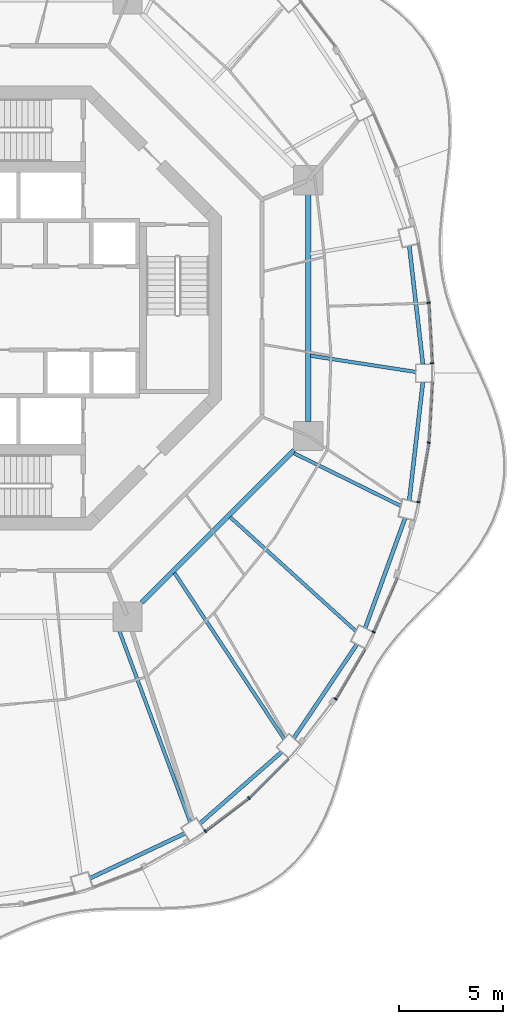
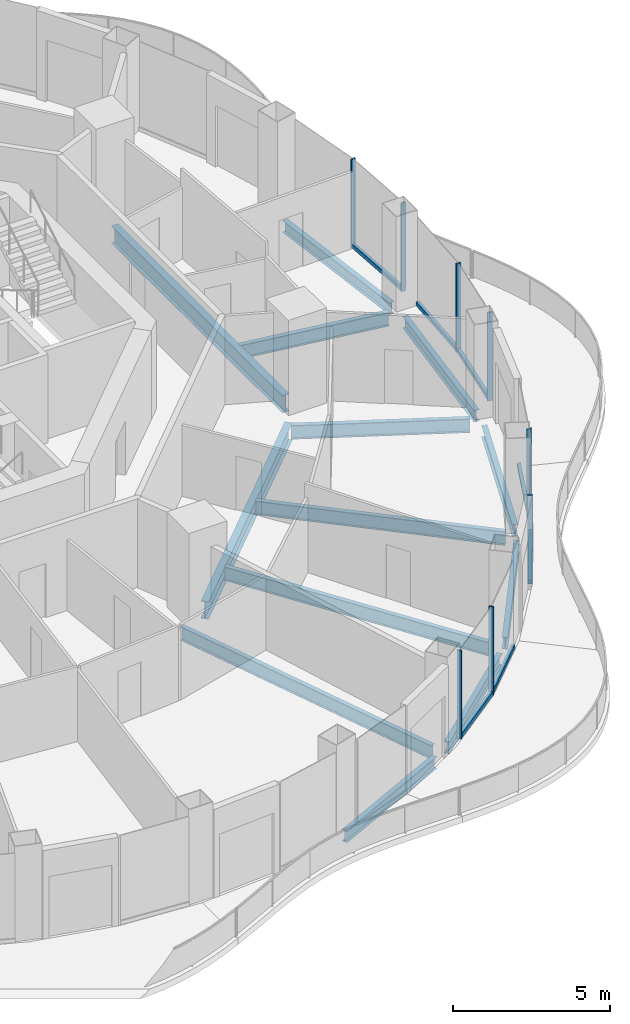
# One storey, part 4 of 17: 15 members, 13 beams, 8 elements without a shape of their own.
"""IFC4 building model written with IfcOpenShell, lengths in metres."""

from ifc_helpers import new_model, si_unit, direction, frame, origin, origin_2d, place, context, subcontext, project, spatial, rectangle, i_section, extrude, material, layer, layer_set, material_profile, profile_set, type_object, element, aggregate, save


model = new_model("IFC4")

# Units and contexts
model_context = context("Model", 3, precision=1e-05, world=origin(), true_north=direction((0.0, 1.0)))
body_context = subcontext(model_context, "Body", "Model", "MODEL_VIEW")
ifc_project = project(units=[si_unit("LENGTHUNIT", "METRE"), si_unit("AREAUNIT", "SQUARE_METRE"), si_unit("VOLUMEUNIT", "CUBIC_METRE"), si_unit("PLANEANGLEUNIT", "RADIAN"), si_unit("MASSUNIT", "GRAM", prefix="KILO")], contexts=[model_context])

# Site, building, storey
site_placement = place(None, origin())
site = spatial("IfcSite", under=ifc_project, at=site_placement, CompositionType="ELEMENT")
building_placement = place(site_placement, origin())
building = spatial("IfcBuilding", under=site, at=building_placement, Name="Nagisa Residences", CompositionType="ELEMENT")
storey_placement = place(building_placement, frame((0.0, 0.0, 269.60009765625)))
storey = spatial("IfcBuildingStorey", under=building, at=storey_placement, Name="L68", CompositionType="ELEMENT", Elevation=269.60009765625)

# Curtain wall, member
ifc_material_1 = material(Name="Concrete-coloured aluminium curtain wall system", Category="concrete")
ifc_layer = layer(ifc_material_1, 0.159912109375)
ifc_layer_set = layer_set([ifc_layer], Name="CW1 CURTAIN WALL")
curtain_wall_type = type_object("IfcCurtainWallType", Name="CW1 CURTAIN WALL", PredefinedType="NOTDEFINED", material=ifc_layer_set)
curtain_wall_1_placement = place(storey_placement, origin())
curtain_wall_1 = element("IfcCurtainWall", 1, at=curtain_wall_1_placement, inside=storey, type_object=curtain_wall_type, Name="cw:CW1:L68:00", PredefinedType="NOTDEFINED")
ifc_material_2 = material(Name="Concrete-coloured aluminium", Category="concrete")
ifc_material_profile_1 = material_profile(ifc_material_2, rectangle(XDim=0.159912109375, YDim=0.06005859375, at=origin_2d()), Name="CW1 MULLION 160x60")
ifc_profile_set_1 = profile_set([ifc_material_profile_1], Name="Concrete-coloured aluminium")
member_type_1 = type_object("IfcMemberType", Name="CW1 MULLION 160x60", PredefinedType="MULLION", material=ifc_profile_set_1)
member_1_placement = place(storey_placement, frame((20.712646484375, -2.64306640625, 0.0), z_axis=(0.0, 0.0, 1.0), x_axis=(-0.998345305184, -0.057503492216, 0.0)))
member_1 = element("IfcMember", 2, at=member_1_placement, type_object=member_type_1, Name="CW1 mullion", PredefinedType="MULLION", context=body_context, shape_type="SweptSolid", body=[
    extrude(rectangle(XDim=0.159912109375, YDim=0.06005859375, at=origin_2d()), origin(), (0.0, 0.0, 1.0), 3.43994140625),
])

curtain_wall_2_placement = place(storey_placement, origin())
curtain_wall_2 = element("IfcCurtainWall", 3, at=curtain_wall_2_placement, inside=storey, type_object=curtain_wall_type, Name="cw:CW1:L68:01", PredefinedType="NOTDEFINED")
member_2_placement = place(storey_placement, frame((20.54248046875, 0.2578125, 0.0), z_axis=(0.0, 0.0, 1.0), x_axis=(-0.985063604377, -0.172190868898, 0.0)))
member_2 = element("IfcMember", 4, at=member_2_placement, type_object=member_type_1, Name="CW1 mullion", PredefinedType="MULLION", context=body_context, shape_type="SweptSolid", body=[
    extrude(rectangle(XDim=0.159912109375, YDim=0.06005859375, at=origin_2d()), origin(), (0.0, 0.0, 1.0), 3.43994140625),
])
aggregate(curtain_wall_2, [member_2])

curtain_wall_3_placement = place(storey_placement, origin())
curtain_wall_3 = element("IfcCurtainWall", 5, at=curtain_wall_3_placement, inside=storey, type_object=curtain_wall_type, Name="cw:CW1:L68:40", PredefinedType="NOTDEFINED")
member_3_placement = place(storey_placement, frame((9.84375, -25.054931640625, 0.0), z_axis=(0.0, 0.0, 1.0), x_axis=(-0.605255421737, 0.79603132756, 0.0)))
member_3 = element("IfcMember", 6, at=member_3_placement, type_object=member_type_1, Name="CW1 mullion", PredefinedType="MULLION", context=body_context, shape_type="SweptSolid", body=[
    extrude(rectangle(XDim=0.159912109375, YDim=0.06005859375, at=origin_2d()), origin(), (0.0, 0.0, 1.0), 3.43994140625),
])

curtain_wall_4_placement = place(storey_placement, origin())
curtain_wall_4 = element("IfcCurtainWall", 7, at=curtain_wall_4_placement, inside=storey, type_object=curtain_wall_type, Name="cw:CW1:L68:41", PredefinedType="NOTDEFINED")
member_4_placement = place(storey_placement, frame((11.934814453125, -23.460693359375, 0.0), z_axis=(0.0, 0.0, 1.0), x_axis=(-0.706376885714, 0.707835924016, 0.0)))
member_4 = element("IfcMember", 8, at=member_4_placement, type_object=member_type_1, Name="CW1 mullion", PredefinedType="MULLION", context=body_context, shape_type="SweptSolid", body=[
    extrude(rectangle(XDim=0.159912109375, YDim=0.06005859375, at=origin_2d()), origin(), (0.0, 0.0, 1.0), 3.43994140625),
])

curtain_wall_5_placement = place(storey_placement, origin())
curtain_wall_5 = element("IfcCurtainWall", 9, at=curtain_wall_5_placement, inside=storey, type_object=curtain_wall_type, Name="cw:CW1:L68:43", PredefinedType="NOTDEFINED")
member_5_placement = place(storey_placement, frame((16.091796875, -18.720947265625, 0.0), z_axis=(0.0, 0.0, 1.0), x_axis=(-0.862328898214, 0.506348567002, 0.0)))
member_5 = element("IfcMember", 10, at=member_5_placement, type_object=member_type_1, Name="CW1 mullion", PredefinedType="MULLION", context=body_context, shape_type="SweptSolid", body=[
    extrude(rectangle(XDim=0.159912109375, YDim=0.06005859375, at=origin_2d()), origin(), (0.0, 0.0, 1.0), 3.43994140625),
])

curtain_wall_6_placement = place(storey_placement, origin())
curtain_wall_6 = element("IfcCurtainWall", 11, at=curtain_wall_6_placement, inside=storey, type_object=curtain_wall_type, Name="cw:CW1:L68:44", PredefinedType="NOTDEFINED")
member_6_placement = place(storey_placement, frame((17.906982421875, -15.515380859375, 0.0), z_axis=(0.0, 0.0, 1.0), x_axis=(-0.917543276295, 0.397635934147, 0.0)))
member_6 = element("IfcMember", 12, at=member_6_placement, type_object=member_type_1, Name="CW1 mullion", PredefinedType="MULLION", context=body_context, shape_type="SweptSolid", body=[
    extrude(rectangle(XDim=0.159912109375, YDim=0.06005859375, at=origin_2d()), origin(), (0.0, 0.0, 1.0), 3.43994140625),
])

curtain_wall_7_placement = place(storey_placement, origin())
curtain_wall_7 = element("IfcCurtainWall", 13, at=curtain_wall_7_placement, inside=storey, type_object=curtain_wall_type, Name="cw:CW1:L68:46", PredefinedType="NOTDEFINED")
member_7_placement = place(storey_placement, frame((20.052978515625, -9.29296875, 0.0), z_axis=(0.0, 0.0, 1.0), x_axis=(-0.985063604377, 0.172190868898, 0.0)))
member_7 = element("IfcMember", 14, at=member_7_placement, type_object=member_type_1, Name="CW1 mullion", PredefinedType="MULLION", context=body_context, shape_type="SweptSolid", body=[
    extrude(rectangle(XDim=0.159912109375, YDim=0.06005859375, at=origin_2d()), origin(), (0.0, 0.0, 1.0), 3.43994140625),
])

curtain_wall_8_placement = place(storey_placement, origin())
curtain_wall_8 = element("IfcCurtainWall", 15, at=curtain_wall_8_placement, inside=storey, type_object=curtain_wall_type, Name="cw:CW1:L68:47", PredefinedType="NOTDEFINED")
member_8_placement = place(storey_placement, frame((20.54833984375, -6.44287109375, 0.0), z_axis=(0.0, 0.0, 1.0), x_axis=(-0.998345305184, 0.057503492216, 0.0)))
member_8 = element("IfcMember", 16, at=member_8_placement, type_object=member_type_1, Name="CW1 mullion", PredefinedType="MULLION", context=body_context, shape_type="SweptSolid", body=[
    extrude(rectangle(XDim=0.159912109375, YDim=0.06005859375, at=origin_2d()), origin(), (0.0, 0.0, 1.0), 3.43994140625),
])

# Member
ifc_material_3 = material(Name="Concrete-coloured aluminium", Category="concrete")
ifc_material_profile_2 = material_profile(ifc_material_3, rectangle(XDim=0.1201171875, YDim=0.14990234375, at=origin_2d()), Name="CW1 TRANSOM 120x150")
ifc_profile_set_2 = profile_set([ifc_material_profile_2], Name="Concrete-coloured aluminium")
member_type_2 = type_object("IfcMemberType", Name="CW1 TRANSOM 120x150", PredefinedType="USERDEFINED", material=ifc_profile_set_2)
member_9_placement = place(storey_placement, frame((20.71435546875, -2.673095703125, 0.074951171875), z_axis=(-0.057529123486, 0.998343828524, 0.0), x_axis=(-0.998343828524, -0.057529123486, 0.0)))
member_9 = element("IfcMember", 17, at=member_9_placement, type_object=member_type_2, Name="CW1 transom", ObjectType="TRANSOM", PredefinedType="USERDEFINED", context=body_context, shape_type="SweptSolid", body=[
    extrude(rectangle(XDim=0.1201171875, YDim=0.14990234375, at=origin_2d()), origin(), (0.0, 0.0, 1.0), 2.91552734375),
])

aggregate(curtain_wall_1, [member_1, member_9])

member_10_placement = place(storey_placement, frame((9.81982421875, -25.0732421875, 0.074951171875), z_axis=(0.796010739377, 0.605282498339, 0.0), x_axis=(-0.605282498339, 0.796010739377, 0.0)))
member_10 = element("IfcMember", 18, at=member_10_placement, type_object=member_type_2, Name="CW1 transom", ObjectType="TRANSOM", PredefinedType="USERDEFINED", context=body_context, shape_type="SweptSolid", body=[
    extrude(rectangle(XDim=0.1201171875, YDim=0.14990234375, at=origin_2d()), origin(), (0.0, 0.0, 1.0), 2.640625),
])

aggregate(curtain_wall_3, [member_3, member_10])

member_11_placement = place(storey_placement, frame((11.91357421875, -23.48193359375, 0.074951171875), z_axis=(0.707876975297, 0.706335747251, 0.0), x_axis=(-0.706335747251, 0.707876975297, 0.0)))
member_11 = element("IfcMember", 19, at=member_11_placement, type_object=member_type_2, Name="CW1 transom", ObjectType="TRANSOM", PredefinedType="USERDEFINED", context=body_context, shape_type="SweptSolid", body=[
    extrude(rectangle(XDim=0.1201171875, YDim=0.14990234375, at=origin_2d()), origin(), (0.0, 0.0, 1.0), 2.69287109375),
])

aggregate(curtain_wall_4, [member_4, member_11])

member_12_placement = place(storey_placement, frame((16.07666015625, -18.74658203125, 0.074951171875), z_axis=(0.506371364425, 0.862315511452, 0.0), x_axis=(-0.862315511452, 0.506371364425, 0.0)))
member_12 = element("IfcMember", 20, at=member_12_placement, type_object=member_type_2, Name="CW1 transom", ObjectType="TRANSOM", PredefinedType="USERDEFINED", context=body_context, shape_type="SweptSolid", body=[
    extrude(rectangle(XDim=0.1201171875, YDim=0.14990234375, at=origin_2d()), origin(), (0.0, 0.0, 1.0), 2.79638671875),
])

aggregate(curtain_wall_5, [member_5, member_12])

member_13_placement = place(storey_placement, frame((17.89501953125, -15.54296875, 0.074951171875), z_axis=(0.397597791596, 0.9175598052, 0.0), x_axis=(-0.9175598052, 0.397597791596, 0.0)))
member_13 = element("IfcMember", 21, at=member_13_placement, type_object=member_type_2, Name="CW1 transom", ObjectType="TRANSOM", PredefinedType="USERDEFINED", context=body_context, shape_type="SweptSolid", body=[
    extrude(rectangle(XDim=0.1201171875, YDim=0.14990234375, at=origin_2d()), origin(), (0.0, 0.0, 1.0), 2.841064453125),
])

aggregate(curtain_wall_6, [member_6, member_13])

member_14_placement = place(storey_placement, frame((20.0478515625, -9.32275390625, 0.074951171875), z_axis=(0.172182411767, 0.985065082661, 0.0), x_axis=(-0.985065082661, 0.172182411767, 0.0)))
member_14 = element("IfcMember", 22, at=member_14_placement, type_object=member_type_2, Name="CW1 transom", ObjectType="TRANSOM", PredefinedType="USERDEFINED", context=body_context, shape_type="SweptSolid", body=[
    extrude(rectangle(XDim=0.1201171875, YDim=0.14990234375, at=origin_2d()), origin(), (0.0, 0.0, 1.0), 2.902587890625),
])

aggregate(curtain_wall_7, [member_7, member_14])

member_15_placement = place(storey_placement, frame((20.546630859375, -6.472900390625, 0.074951171875), z_axis=(0.057529123486, 0.998343828524, 0.0), x_axis=(-0.998343828524, 0.057529123486, 0.0)))
member_15 = element("IfcMember", 23, at=member_15_placement, type_object=member_type_2, Name="CW1 transom", ObjectType="TRANSOM", PredefinedType="USERDEFINED", context=body_context, shape_type="SweptSolid", body=[
    extrude(rectangle(XDim=0.1201171875, YDim=0.14990234375, at=origin_2d()), origin(), (0.0, 0.0, 1.0), 2.91552734375),
])

aggregate(curtain_wall_8, [member_8, member_15])

# Beams
ifc_material_4 = material(Name="Steel ASTM A572 Gr 50", Category="steel")
ifc_material_profile_3 = material_profile(ifc_material_4, i_section(OverallWidth=0.2529296875, OverallDepth=0.677978515625, WebThickness=0.01171875, FlangeThickness=0.016357421875, at=origin_2d()), Name="W690x125")
ifc_profile_set_3 = profile_set([ifc_material_profile_3], Name="Steel ASTM A572 Gr 50")
beam_type_1 = type_object("IfcBeamType", Name="Inner ring beam W690x125", PredefinedType="BEAM", material=ifc_profile_set_3)
beam_1_placement = place(storey_placement, frame((6.808837890625, -14.09619140625, -0.59912109375), z_axis=(0.707106781187, 0.707106781187, 0.0), x_axis=(-0.707106781187, 0.707106781187, 0.0)))
element("IfcBeam", 24, at=beam_1_placement, inside=storey, type_object=beam_type_1, Name="beam:L68:ib7", PredefinedType="BEAM", context=body_context, shape_type="SweptSolid", body=[
    extrude(i_section(OverallWidth=0.2529296875, OverallDepth=0.677978515625, WebThickness=0.01171875, FlangeThickness=0.016357421875, at=origin_2d()), origin(), (0.0, 0.0, 1.0), 10.305908203125),
])
beam_2_placement = place(storey_placement, frame((14.781982421875, -5.44287109375, -0.59912109375), z_axis=(0.0, 1.0, 0.0), x_axis=(-1.0, 0.0, 0.0)))
element("IfcBeam", 25, at=beam_2_placement, inside=storey, type_object=beam_type_1, Name="beam:L68:ib8", PredefinedType="BEAM", context=body_context, shape_type="SweptSolid", body=[
    extrude(i_section(OverallWidth=0.2529296875, OverallDepth=0.677978515625, WebThickness=0.01171875, FlangeThickness=0.016357421875, at=origin_2d()), origin(), (0.0, 0.0, 1.0), 10.8857421875),
])
ifc_material_5 = material(Name="Steel ASTM A572 Gr 50", Category="steel")
ifc_material_profile_4 = material_profile(ifc_material_5, i_section(OverallWidth=0.18994140625, OverallDepth=0.45703125, WebThickness=0.009033203125, FlangeThickness=0.014404296875, at=origin_2d()), Name="W460x74")
ifc_profile_set_4 = profile_set([ifc_material_profile_4], Name="Steel ASTM A572 Gr 50")
beam_type_2 = type_object("IfcBeamType", Name="Perimeter ring beam W460x74", PredefinedType="BEAM", material=ifc_profile_set_4)
beam_3_placement = place(storey_placement, frame((20.270263671875, -2.6875, -0.488525390625), z_axis=(-0.114593271741, 0.993412493414, 0.0), x_axis=(-0.993412493414, -0.114593271741, 0.0)))
element("IfcBeam", 26, at=beam_3_placement, inside=storey, type_object=beam_type_2, Name="beam:L68:pb01", PredefinedType="BEAM", context=body_context, shape_type="SweptSolid", body=[
    extrude(i_section(OverallWidth=0.18994140625, OverallDepth=0.45703125, WebThickness=0.009033203125, FlangeThickness=0.014404296875, at=origin_2d()), origin(), (0.0, 0.0, 1.0), 5.709716796875),
])
beam_4_placement = place(storey_placement, frame((4.318115234375, -27.311767578125, -0.488525390625), z_axis=(0.904115893837, 0.427287316113, 0.0), x_axis=(-0.427287316113, 0.904115893837, 0.0)))
element("IfcBeam", 27, at=beam_4_placement, inside=storey, type_object=beam_type_2, Name="beam:L68:pb20", PredefinedType="BEAM", context=body_context, shape_type="SweptSolid", body=[
    extrude(i_section(OverallWidth=0.18994140625, OverallDepth=0.45703125, WebThickness=0.009033203125, FlangeThickness=0.014404296875, at=origin_2d()), origin(), (0.0, 0.0, 1.0), 5.031494140625),
])
beam_5_placement = place(storey_placement, frame((9.586669921875, -24.690185546875, -0.488525390625), z_axis=(0.752385480596, 0.658723074279, 0.0), x_axis=(-0.658723074279, 0.752385480596, 0.0)))
element("IfcBeam", 28, at=beam_5_placement, inside=storey, type_object=beam_type_2, Name="beam:L68:pb21", PredefinedType="BEAM", context=body_context, shape_type="SweptSolid", body=[
    extrude(i_section(OverallWidth=0.18994140625, OverallDepth=0.45703125, WebThickness=0.009033203125, FlangeThickness=0.014404296875, at=origin_2d()), origin(), (0.0, 0.0, 1.0), 5.220947265625),
])
beam_6_placement = place(storey_placement, frame((14.083251953125, -20.605224609375, -0.488525390625), z_axis=(0.558045612854, 0.829810275891, 0.0), x_axis=(-0.829810275891, 0.558045612854, 0.0)))
element("IfcBeam", 29, at=beam_6_placement, inside=storey, type_object=beam_type_2, Name="beam:L68:pb22", PredefinedType="BEAM", context=body_context, shape_type="SweptSolid", body=[
    extrude(i_section(OverallWidth=0.18994140625, OverallDepth=0.45703125, WebThickness=0.009033203125, FlangeThickness=0.014404296875, at=origin_2d()), origin(), (0.0, 0.0, 1.0), 5.432373046875),
])
beam_7_placement = place(storey_placement, frame((17.50439453125, -15.330322265625, -0.488525390625), z_axis=(0.341211850477, 0.93998642176, 0.0), x_axis=(-0.93998642176, 0.341211850477, 0.0)))
element("IfcBeam", 30, at=beam_7_placement, inside=storey, type_object=beam_type_2, Name="beam:L68:pb23", PredefinedType="BEAM", context=body_context, shape_type="SweptSolid", body=[
    extrude(i_section(OverallWidth=0.18994140625, OverallDepth=0.45703125, WebThickness=0.009033203125, FlangeThickness=0.014404296875, at=origin_2d()), origin(), (0.0, 0.0, 1.0), 5.609619140625),
])
beam_8_placement = place(storey_placement, frame((19.615966796875, -9.219970703125, -0.488525390625), z_axis=(0.114593271741, 0.993412493414, 0.0), x_axis=(-0.993412493414, 0.114593271741, 0.0)))
element("IfcBeam", 31, at=beam_8_placement, inside=storey, type_object=beam_type_2, Name="beam:L68:pb24", PredefinedType="BEAM", context=body_context, shape_type="SweptSolid", body=[
    extrude(i_section(OverallWidth=0.18994140625, OverallDepth=0.45703125, WebThickness=0.009033203125, FlangeThickness=0.014404296875, at=origin_2d()), origin(), (0.0, 0.0, 1.0), 5.709716796875),
])
ifc_material_6 = material(Name="Steel ASTM A572 Gr 50", Category="steel")
ifc_material_profile_5 = material_profile(ifc_material_6, i_section(OverallWidth=0.166015625, OverallDepth=0.534912109375, WebThickness=0.01025390625, FlangeThickness=0.0166015625, at=origin_2d()), Name="W530x85")
ifc_profile_set_5 = profile_set([ifc_material_profile_5], Name="Steel ASTM A572 Gr 50")
beam_type_3 = type_object("IfcBeamType", Name="Radial beam W530x85", PredefinedType="BEAM", material=ifc_profile_set_5)
beam_9_placement = place(storey_placement, frame((19.939697265625, -3.059326171875, -0.527587890625), z_axis=(-0.988434580655, 0.151647880849, 0.0), x_axis=(-0.151647880849, -0.988434580655, 0.0)))
element("IfcBeam", 32, at=beam_9_placement, inside=storey, type_object=beam_type_3, Name="beam:L68:rb01", PredefinedType="BEAM", context=body_context, shape_type="SweptSolid", body=[
    extrude(i_section(OverallWidth=0.166015625, OverallDepth=0.534912109375, WebThickness=0.01025390625, FlangeThickness=0.0166015625, at=origin_2d()), origin(), (0.0, 0.0, 1.0), 5.10986328125),
])
beam_10_placement = place(storey_placement, frame((9.124267578125, -24.610107421875, -0.527587890625), z_axis=(-0.347626513472, 0.93763308769, 0.0), x_axis=(-0.93763308769, -0.347626513472, 0.0)))
element("IfcBeam", 33, at=beam_10_placement, inside=storey, type_object=beam_type_3, Name="beam:L68:rb21", PredefinedType="BEAM", context=body_context, shape_type="SweptSolid", body=[
    extrude(i_section(OverallWidth=0.166015625, OverallDepth=0.534912109375, WebThickness=0.01025390625, FlangeThickness=0.0166015625, at=origin_2d()), origin(), (0.0, 0.0, 1.0), 10.36669921875),
])
beam_11_placement = place(storey_placement, frame((13.623779296875, -20.6357421875, -0.527587890625), z_axis=(-0.550958197916, 0.834532841864, 0.0), x_axis=(-0.834532841864, -0.550958197916, 0.0)))
element("IfcBeam", 34, at=beam_11_placement, inside=storey, type_object=beam_type_3, Name="beam:L68:rb22", PredefinedType="BEAM", context=body_context, shape_type="SweptSolid", body=[
    extrude(i_section(OverallWidth=0.166015625, OverallDepth=0.534912109375, WebThickness=0.01025390625, FlangeThickness=0.0166015625, at=origin_2d()), origin(), (0.0, 0.0, 1.0), 9.52978515625),
])
beam_12_placement = place(storey_placement, frame((17.064208984375, -15.47265625, -0.527587890625), z_axis=(-0.740818788558, 0.671704937096, 0.0), x_axis=(-0.671704937096, -0.740818788558, 0.0)))
element("IfcBeam", 35, at=beam_12_placement, inside=storey, type_object=beam_type_3, Name="beam:L68:rb23", PredefinedType="BEAM", context=body_context, shape_type="SweptSolid", body=[
    extrude(i_section(OverallWidth=0.166015625, OverallDepth=0.534912109375, WebThickness=0.01025390625, FlangeThickness=0.0166015625, at=origin_2d()), origin(), (0.0, 0.0, 1.0), 8.128173828125),
])
beam_13_placement = place(storey_placement, frame((19.216064453125, -9.4775390625, -0.527587890625), z_axis=(-0.896862727732, 0.442308995618, 0.0), x_axis=(-0.442308995618, -0.896862727732, 0.0)))
element("IfcBeam", 36, at=beam_13_placement, inside=storey, type_object=beam_type_3, Name="beam:L68:rb24", PredefinedType="BEAM", context=body_context, shape_type="SweptSolid", body=[
    extrude(i_section(OverallWidth=0.166015625, OverallDepth=0.534912109375, WebThickness=0.01025390625, FlangeThickness=0.0166015625, at=origin_2d()), origin(), (0.0, 0.0, 1.0), 5.702392578125),
])

save(model, "model.ifc")
